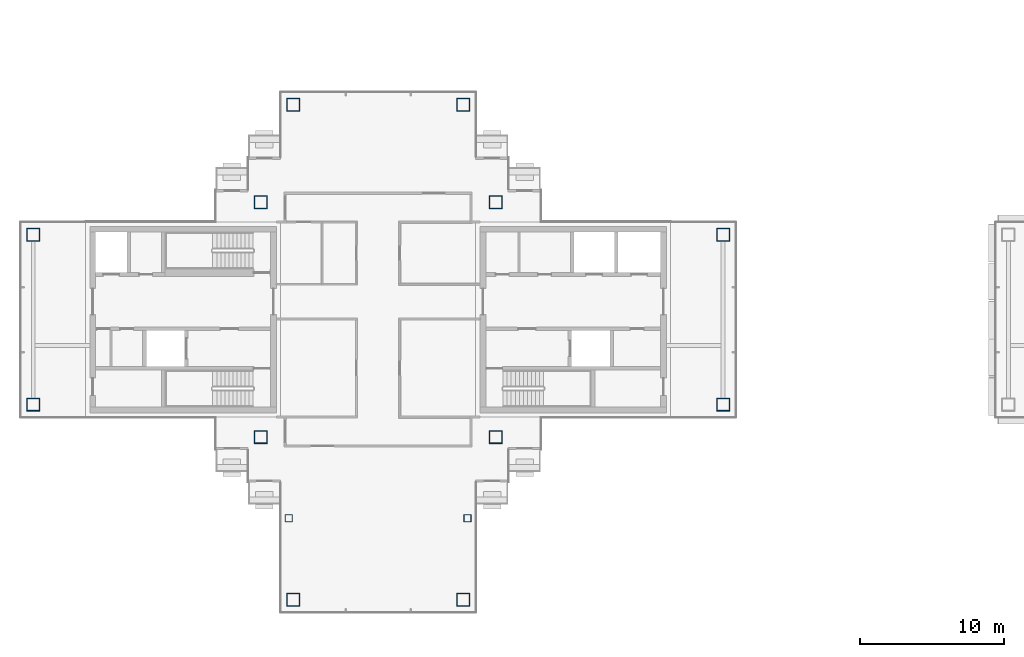
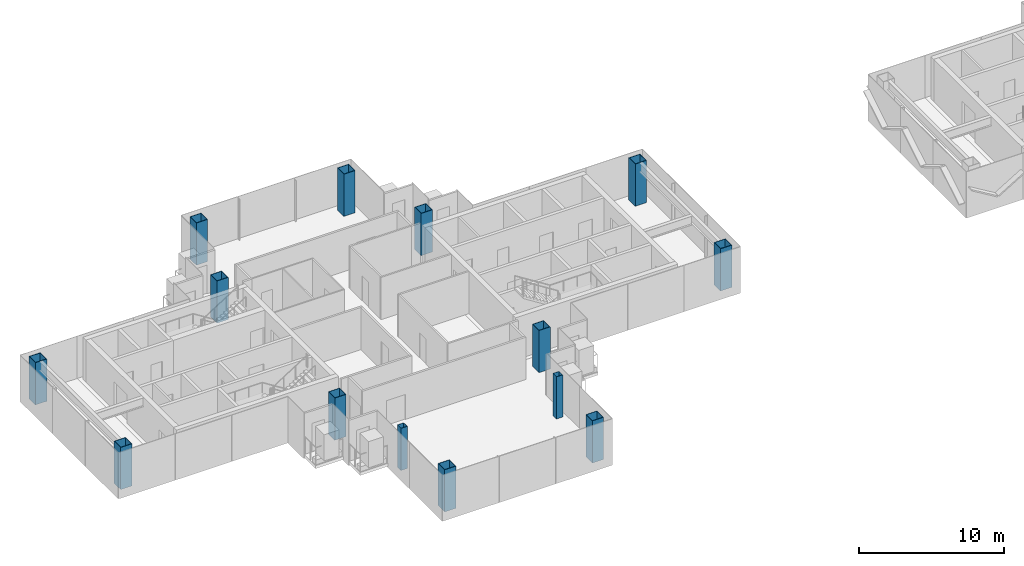
# One storey, part 1 of 17: 14 columns.
"""IFC4 building model written with IfcOpenShell, lengths in metres."""

from ifc_helpers import new_model, si_unit, direction, frame, origin, origin_2d, place, context, subcontext, project, spatial, hollow_rectangle, extrude, material, material_profile, profile_set, type_object, element, save


model = new_model("IFC4")

# Units and contexts
model_context = context("Model", 3, precision=1e-05, world=origin(), true_north=direction((0.0, 1.0)))
body_context = subcontext(model_context, "Body", "Model", "MODEL_VIEW")
ifc_project = project(units=[si_unit("LENGTHUNIT", "METRE"), si_unit("AREAUNIT", "SQUARE_METRE"), si_unit("VOLUMEUNIT", "CUBIC_METRE"), si_unit("PLANEANGLEUNIT", "RADIAN"), si_unit("MASSUNIT", "GRAM", prefix="KILO")], contexts=[model_context])

# Site, building, storey
site_placement = place(None, origin())
site = spatial("IfcSite", under=ifc_project, at=site_placement, CompositionType="ELEMENT")
building_placement = place(site_placement, origin())
building = spatial("IfcBuilding", under=site, at=building_placement, Name="Shamsa Quay Exchange Towers", CompositionType="ELEMENT")
storey_placement = place(building_placement, frame((0.0, 0.0, 249.89990234375)))
storey = spatial("IfcBuildingStorey", under=building, at=storey_placement, Name="L60", CompositionType="ELEMENT", Elevation=249.89990234375)

# Columns
ifc_material_1 = material(Name="Concrete-filled steel tube S355 / C60/75", Category="concrete")
ifc_material_profile_1 = material_profile(ifc_material_1, hollow_rectangle(XDim=0.5, YDim=0.5, WallThickness=0.01611328125, at=origin_2d()), Name="CFT 500x500x16")
ifc_profile_set_1 = profile_set([ifc_material_profile_1], Name="Concrete-filled steel tube S355 / C60/75")
column_type_1 = type_object("IfcColumnType", Name="Column CFT 500x500x16", PredefinedType="COLUMN", material=ifc_profile_set_1)
for number, where, name in (
    (1, (-39.9375, -13.75, 0.0), "Perimeter column T1-CP19"),
    (2, (-27.5625, -13.75, 0.0), "Perimeter column T1-CP22"),
):
    element("IfcColumn", number, at=place(storey_placement, frame(where)), inside=storey, type_object=column_type_1, Name=name, PredefinedType="COLUMN", context=body_context, shape_type="SweptSolid", body=[
        extrude(hollow_rectangle(XDim=0.5, YDim=0.5, WallThickness=0.01611328125, at=origin_2d()), origin(), (0.0, 0.0, 1.0), 3.550048828125),
    ])
ifc_material_2 = material(Name="Concrete-filled steel tube S355 / C80/95", Category="concrete")
ifc_material_profile_2 = material_profile(ifc_material_2, hollow_rectangle(XDim=0.89990234375, YDim=0.89990234375, WallThickness=0.035888671875, at=origin_2d()), Name="CFT 900x900x36")
ifc_profile_set_2 = profile_set([ifc_material_profile_2], Name="Concrete-filled steel tube S355 / C80/95")
column_type_2 = type_object("IfcColumnType", Name="Column CFT 900x900x36", PredefinedType="COLUMN", material=ifc_profile_set_2)
for number, where, name in (
    (3, (-25.625, 8.125, 0.0), "Mega column T1-CM01"),
    (4, (-25.625, -8.125, 0.0), "Mega column T1-CM02"),
    (5, (-41.875, 8.125, 0.0), "Mega column T1-CM03"),
    (6, (-41.875, -8.125, 0.0), "Mega column T1-CM04"),
    (7, (-9.875, -5.875, 0.0), "Mega column T1-CM05"),
    (8, (-9.875, 5.875, 0.0), "Mega column T1-CM07"),
    (9, (-57.625, -5.875, 0.0), "Mega column T1-CM09"),
    (10, (-57.625, 5.875, 0.0), "Mega column T1-CM11"),
    (11, (-39.625, 14.875, 0.0), "Mega column T1-CM13"),
    (12, (-27.875, 14.875, 0.0), "Mega column T1-CM16"),
    (13, (-39.625, -19.375, 0.0), "Mega column T1-CM20"),
    (14, (-27.875, -19.375, 0.0), "Mega column T1-CM23"),
):
    element("IfcColumn", number, at=place(storey_placement, frame(where)), inside=storey, type_object=column_type_2, Name=name, PredefinedType="COLUMN", context=body_context, shape_type="SweptSolid", body=[
        extrude(hollow_rectangle(XDim=0.89990234375, YDim=0.89990234375, WallThickness=0.035888671875, at=origin_2d()), origin(), (0.0, 0.0, 1.0), 3.550048828125),
    ])

save(model, "model.ifc")
